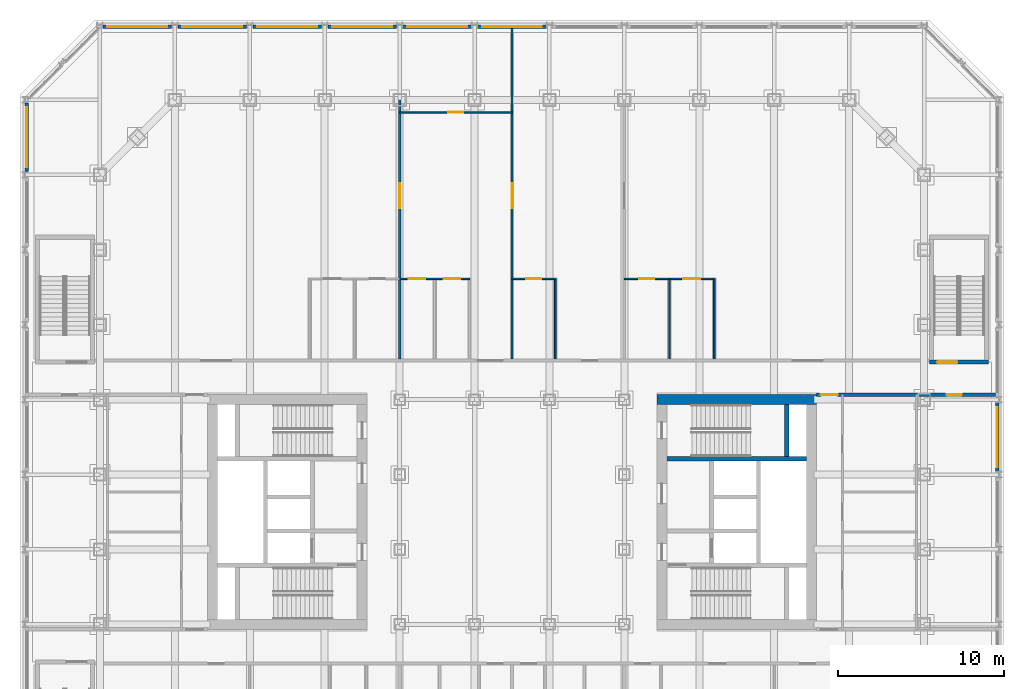
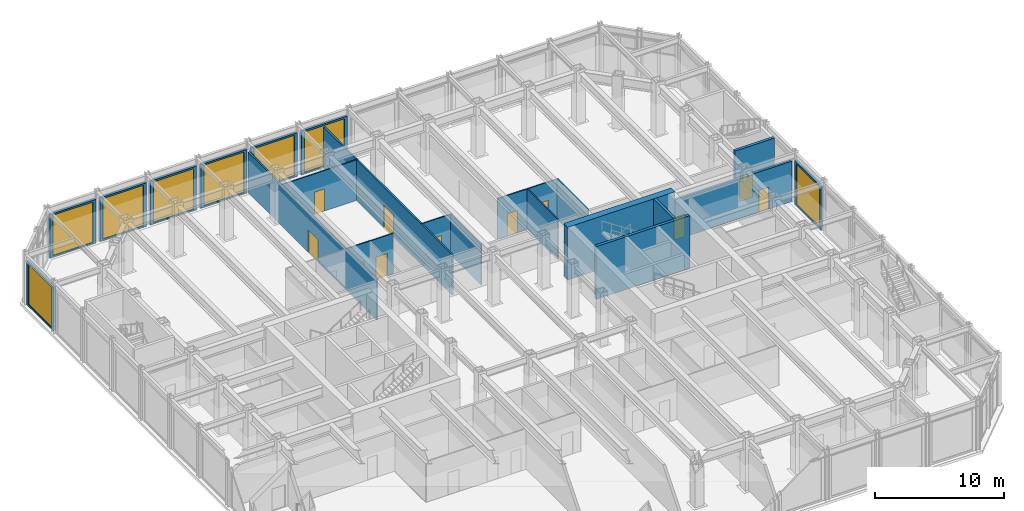
# One storey, part 14 of 19: 22 walls, 11 doors, 8 windows, 19 openings.
"""IFC4 building model written with IfcOpenShell, lengths in metres."""

from ifc_helpers import new_model, si_unit, direction, frame, frame_2d, origin, place, context, subcontext, project, spatial, rectangle, extrude, material, layer, layer_set, type_object, element, fill, save


model = new_model("IFC4")

# Units and contexts
model_context = context("Model", 3, precision=1e-05, world=origin(), true_north=direction((0.0, 1.0)))
body_context = subcontext(model_context, "Body", "Model", "MODEL_VIEW")
ifc_project = project(units=[si_unit("LENGTHUNIT", "METRE"), si_unit("AREAUNIT", "SQUARE_METRE"), si_unit("VOLUMEUNIT", "CUBIC_METRE"), si_unit("PLANEANGLEUNIT", "RADIAN"), si_unit("MASSUNIT", "GRAM", prefix="KILO")], contexts=[model_context])

# Site, building, storey
site_placement = place(None, origin())
site = spatial("IfcSite", under=ifc_project, at=site_placement, CompositionType="ELEMENT")
building_placement = place(site_placement, origin())
building = spatial("IfcBuilding", under=site, at=building_placement, Name="Msasa Ring Tower", CompositionType="ELEMENT")
storey_placement = place(building_placement, frame((0.0, 0.0, 11.0)))
storey = spatial("IfcBuildingStorey", under=building, at=storey_placement, Name="L02", CompositionType="ELEMENT", Elevation=11.0)

# Walls
ifc_material_1 = material(Name="Concrete C60/75", Category="concrete")
ifc_layer_1 = layer(ifc_material_1, 0.60009765625)
ifc_layer_set_1 = layer_set([ifc_layer_1], Name="CW1 CORE WALL 600")
wall_type_1 = type_object("IfcWallType", Name="CW1 CORE WALL 600", PredefinedType="SHEAR", material=ifc_layer_set_1)
wall_1_placement = place(storey_placement, frame((8.699951171875, 6.75, 0.0), z_axis=(0.0, 0.0, 1.0), x_axis=(1.0, 0.0, 0.0)))
element("IfcWall", 1, at=wall_1_placement, inside=storey, type_object=wall_type_1, Name="E core wall N L02", PredefinedType="SHEAR", context=body_context, shape_type="SweptSolid", body=[
    extrude(rectangle(XDim=9.60009765625, YDim=0.60009765625, at=frame_2d((4.800048828125, 0.0))), origin(), (0.0, 0.0, 1.0), 5.0),
])
ifc_material_2 = material(Name="Concrete C60/75", Category="concrete")
ifc_layer_2 = layer(ifc_material_2, 0.25)
ifc_layer_set_2 = layer_set([ifc_layer_2], Name="CW4 CORE INNER WALL 250")
wall_type_2 = type_object("IfcWallType", Name="CW4 CORE INNER WALL 250", PredefinedType="SHEAR", material=ifc_layer_set_2)
wall_2_placement = place(storey_placement, frame((9.300048828125, 3.199951171875, 0.0), z_axis=(0.0, 0.0, 1.0), x_axis=(1.0, 0.0, 0.0)))
element("IfcWall", 2, at=wall_2_placement, inside=storey, type_object=wall_type_2, Name="E core wall STAIRB L02", PredefinedType="SHEAR", context=body_context, shape_type="SweptSolid", body=[
    extrude(rectangle(XDim=8.39990234375, YDim=0.25, at=frame_2d((4.199951171875, 0.0))), origin(), (0.0, 0.0, 1.0), 5.0),
])
wall_3_placement = place(storey_placement, frame((16.5, 3.324951171875, 0.0), z_axis=(0.0, 0.0, 1.0), x_axis=(0.0, 1.0, 0.0)))
element("IfcWall", 3, at=wall_3_placement, inside=storey, type_object=wall_type_2, Name="E core wall RISERB L02", PredefinedType="SHEAR", context=body_context, shape_type="SweptSolid", body=[
    extrude(rectangle(XDim=3.125, YDim=0.25, at=frame_2d((1.5625, 0.0))), origin(), (0.0, 0.0, 1.0), 5.0),
])

# Wall, opening, window
ifc_material_3 = material(Name="Terracotta rainscreen on blockwork", Category="masonry")
ifc_layer_3 = layer(ifc_material_3, 0.199951171875)
ifc_layer_set_3 = layer_set([ifc_layer_3], Name="FW2 TERRACOTTA PODIUM BAY WALL 200")
wall_type_3 = type_object("IfcWallType", Name="FW2 TERRACOTTA PODIUM BAY WALL 200", PredefinedType="SOLIDWALL", material=ifc_layer_set_3)
wall_4_placement = place(storey_placement, frame((29.14990234375, 2.437744140625, 0.0), z_axis=(0.0, 0.0, 1.0), x_axis=(0.0, 1.0, 0.0)))
wall_4 = element("IfcWall", 4, at=wall_4_placement, inside=storey, type_object=wall_type_3, Name="Podium bay wall E L02 19", PredefinedType="SOLIDWALL", context=body_context, shape_type="SweptSolid", body=[
    extrude(rectangle(XDim=4.124755859375, YDim=0.199951171875, at=frame_2d((2.0625, 0.0))), origin(), (0.0, 0.0, 1.0), 4.1328125),
])
opening_1_placement = place(wall_4_placement, frame((0.26220703125, 0.0, 0.14990234375)))
opening_1 = element("IfcOpeningElement", 5, at=opening_1_placement, cuts=wall_4, Name="Opening SF3", PredefinedType="OPENING", context=body_context, shape_type="SweptSolid", body=[
    extrude(rectangle(XDim=3.60009765625, YDim=3.8330078125, at=frame_2d((1.800048828125, 1.91650390625))), frame((0.0, 0.10986328125, 0.0), z_axis=(0.0, -1.0, 0.0), x_axis=(1.0, 0.0, 0.0)), (0.0, 0.0, 1.0), 0.219970703125),
])
ifc_material_4 = material(Name="Aluminium frame with clear glass", Category="aluminium")
window_type = type_object("IfcWindowType", Name="SF3 SHOPFRONT GLAZING 3600x3833", PartitioningType="SINGLE_PANEL", PredefinedType="WINDOW", material=ifc_material_4)
window_1_placement = place(opening_1_placement, origin())
window_1 = element("IfcWindow", 6, at=window_1_placement, inside=storey, type_object=window_type, Name="Shopfront glazing E L02 19", OverallHeight=3.8330078125, OverallWidth=3.60009765625, PartitioningType="SINGLE_PANEL", PredefinedType="WINDOW", context=body_context, shape_type="SweptSolid", body=[
    extrude(rectangle(XDim=3.60009765625, YDim=3.8330078125, at=frame_2d((1.800048828125, 1.91650390625))), frame((0.0, 0.030029296875, 0.0), z_axis=(0.0, -1.0, 0.0), x_axis=(1.0, 0.0, 0.0)), (0.0, 0.0, 1.0), 0.06005859375),
])
fill(opening_1, window_1)

wall_5_placement = place(storey_placement, frame((-24.562255859375, 29.14990234375, 0.0), z_axis=(0.0, 0.0, 1.0), x_axis=(1.0, 0.0, 0.0)))
wall_5 = element("IfcWall", 7, at=wall_5_placement, inside=storey, type_object=wall_type_3, Name="Podium bay wall N L02 26", PredefinedType="SOLIDWALL", context=body_context, shape_type="SweptSolid", body=[
    extrude(rectangle(XDim=4.12451171875, YDim=0.199951171875, at=frame_2d((2.062255859375, 0.0))), origin(), (0.0, 0.0, 1.0), 4.1328125),
])
opening_2_placement = place(wall_5_placement, frame((0.26220703125, 0.0, 0.14990234375)))
opening_2 = element("IfcOpeningElement", 8, at=opening_2_placement, cuts=wall_5, Name="Opening SF3", PredefinedType="OPENING", context=body_context, shape_type="SweptSolid", body=[
    extrude(rectangle(XDim=3.60009765625, YDim=3.8330078125, at=frame_2d((1.800048828125, 1.91650390625))), frame((0.0, 0.10986328125, 0.0), z_axis=(0.0, -1.0, 0.0), x_axis=(1.0, 0.0, 0.0)), (0.0, 0.0, 1.0), 0.219970703125),
])
window_2_placement = place(opening_2_placement, origin())
window_2 = element("IfcWindow", 9, at=window_2_placement, inside=storey, type_object=window_type, Name="Shopfront glazing N L02 26", OverallHeight=3.8330078125, OverallWidth=3.60009765625, PartitioningType="SINGLE_PANEL", PredefinedType="WINDOW", context=body_context, shape_type="SweptSolid", body=[
    extrude(rectangle(XDim=3.60009765625, YDim=3.8330078125, at=frame_2d((1.800048828125, 1.91650390625))), frame((0.0, 0.030029296875, 0.0), z_axis=(0.0, -1.0, 0.0), x_axis=(1.0, 0.0, 0.0)), (0.0, 0.0, 1.0), 0.06005859375),
])
fill(opening_2, window_2)

wall_6_placement = place(storey_placement, frame((-20.062255859375, 29.14990234375, 0.0), z_axis=(0.0, 0.0, 1.0), x_axis=(1.0, 0.0, 0.0)))
wall_6 = element("IfcWall", 10, at=wall_6_placement, inside=storey, type_object=wall_type_3, Name="Podium bay wall N L02 27", PredefinedType="SOLIDWALL", context=body_context, shape_type="SweptSolid", body=[
    extrude(rectangle(XDim=4.124755859375, YDim=0.199951171875, at=frame_2d((2.0625, 0.0))), origin(), (0.0, 0.0, 1.0), 4.1328125),
])
opening_3_placement = place(wall_6_placement, frame((0.26220703125, 0.0, 0.14990234375)))
opening_3 = element("IfcOpeningElement", 11, at=opening_3_placement, cuts=wall_6, Name="Opening SF3", PredefinedType="OPENING", context=body_context, shape_type="SweptSolid", body=[
    extrude(rectangle(XDim=3.60009765625, YDim=3.8330078125, at=frame_2d((1.800048828125, 1.91650390625))), frame((0.0, 0.10986328125, 0.0), z_axis=(0.0, -1.0, 0.0), x_axis=(1.0, 0.0, 0.0)), (0.0, 0.0, 1.0), 0.219970703125),
])
window_3_placement = place(opening_3_placement, origin())
window_3 = element("IfcWindow", 12, at=window_3_placement, inside=storey, type_object=window_type, Name="Shopfront glazing N L02 27", OverallHeight=3.8330078125, OverallWidth=3.60009765625, PartitioningType="SINGLE_PANEL", PredefinedType="WINDOW", context=body_context, shape_type="SweptSolid", body=[
    extrude(rectangle(XDim=3.60009765625, YDim=3.8330078125, at=frame_2d((1.800048828125, 1.91650390625))), frame((0.0, 0.030029296875, 0.0), z_axis=(0.0, -1.0, 0.0), x_axis=(1.0, 0.0, 0.0)), (0.0, 0.0, 1.0), 0.06005859375),
])
fill(opening_3, window_3)

wall_7_placement = place(storey_placement, frame((-15.5625, 29.14990234375, 0.0), z_axis=(0.0, 0.0, 1.0), x_axis=(1.0, 0.0, 0.0)))
wall_7 = element("IfcWall", 13, at=wall_7_placement, inside=storey, type_object=wall_type_3, Name="Podium bay wall N L02 28", PredefinedType="SOLIDWALL", context=body_context, shape_type="SweptSolid", body=[
    extrude(rectangle(XDim=4.125, YDim=0.199951171875, at=frame_2d((2.0625, 0.0))), origin(), (0.0, 0.0, 1.0), 4.1328125),
])
opening_4_placement = place(wall_7_placement, frame((0.262451171875, 0.0, 0.14990234375)))
opening_4 = element("IfcOpeningElement", 14, at=opening_4_placement, cuts=wall_7, Name="Opening SF3", PredefinedType="OPENING", context=body_context, shape_type="SweptSolid", body=[
    extrude(rectangle(XDim=3.60009765625, YDim=3.8330078125, at=frame_2d((1.800048828125, 1.91650390625))), frame((0.0, 0.10986328125, 0.0), z_axis=(0.0, -1.0, 0.0), x_axis=(1.0, 0.0, 0.0)), (0.0, 0.0, 1.0), 0.219970703125),
])
window_4_placement = place(opening_4_placement, origin())
window_4 = element("IfcWindow", 15, at=window_4_placement, inside=storey, type_object=window_type, Name="Shopfront glazing N L02 28", OverallHeight=3.8330078125, OverallWidth=3.60009765625, PartitioningType="SINGLE_PANEL", PredefinedType="WINDOW", context=body_context, shape_type="SweptSolid", body=[
    extrude(rectangle(XDim=3.60009765625, YDim=3.8330078125, at=frame_2d((1.800048828125, 1.91650390625))), frame((0.0, 0.030029296875, 0.0), z_axis=(0.0, -1.0, 0.0), x_axis=(1.0, 0.0, 0.0)), (0.0, 0.0, 1.0), 0.06005859375),
])
fill(opening_4, window_4)

wall_8_placement = place(storey_placement, frame((-11.0625, 29.14990234375, 0.0), z_axis=(0.0, 0.0, 1.0), x_axis=(1.0, 0.0, 0.0)))
wall_8 = element("IfcWall", 16, at=wall_8_placement, inside=storey, type_object=wall_type_3, Name="Podium bay wall N L02 29", PredefinedType="SOLIDWALL", context=body_context, shape_type="SweptSolid", body=[
    extrude(rectangle(XDim=4.125, YDim=0.199951171875, at=frame_2d((2.0625, 0.0))), origin(), (0.0, 0.0, 1.0), 4.1328125),
])
opening_5_placement = place(wall_8_placement, frame((0.262451171875, 0.0, 0.14990234375)))
opening_5 = element("IfcOpeningElement", 17, at=opening_5_placement, cuts=wall_8, Name="Opening SF3", PredefinedType="OPENING", context=body_context, shape_type="SweptSolid", body=[
    extrude(rectangle(XDim=3.60009765625, YDim=3.8330078125, at=frame_2d((1.800048828125, 1.91650390625))), frame((0.0, 0.10986328125, 0.0), z_axis=(0.0, -1.0, 0.0), x_axis=(1.0, 0.0, 0.0)), (0.0, 0.0, 1.0), 0.219970703125),
])
window_5_placement = place(opening_5_placement, origin())
window_5 = element("IfcWindow", 18, at=window_5_placement, inside=storey, type_object=window_type, Name="Shopfront glazing N L02 29", OverallHeight=3.8330078125, OverallWidth=3.60009765625, PartitioningType="SINGLE_PANEL", PredefinedType="WINDOW", context=body_context, shape_type="SweptSolid", body=[
    extrude(rectangle(XDim=3.60009765625, YDim=3.8330078125, at=frame_2d((1.800048828125, 1.91650390625))), frame((0.0, 0.030029296875, 0.0), z_axis=(0.0, -1.0, 0.0), x_axis=(1.0, 0.0, 0.0)), (0.0, 0.0, 1.0), 0.06005859375),
])
fill(opening_5, window_5)

wall_9_placement = place(storey_placement, frame((-6.5625, 29.14990234375, 0.0), z_axis=(0.0, 0.0, 1.0), x_axis=(1.0, 0.0, 0.0)))
wall_9 = element("IfcWall", 19, at=wall_9_placement, inside=storey, type_object=wall_type_3, Name="Podium bay wall N L02 30", PredefinedType="SOLIDWALL", context=body_context, shape_type="SweptSolid", body=[
    extrude(rectangle(XDim=4.124755859375, YDim=0.199951171875, at=frame_2d((2.0625, 0.0))), origin(), (0.0, 0.0, 1.0), 4.1328125),
])
opening_6_placement = place(wall_9_placement, frame((0.262451171875, 0.0, 0.14990234375)))
opening_6 = element("IfcOpeningElement", 20, at=opening_6_placement, cuts=wall_9, Name="Opening SF3", PredefinedType="OPENING", context=body_context, shape_type="SweptSolid", body=[
    extrude(rectangle(XDim=3.60009765625, YDim=3.8330078125, at=frame_2d((1.800048828125, 1.91650390625))), frame((0.0, 0.10986328125, 0.0), z_axis=(0.0, -1.0, 0.0), x_axis=(1.0, 0.0, 0.0)), (0.0, 0.0, 1.0), 0.219970703125),
])
window_6_placement = place(opening_6_placement, origin())
window_6 = element("IfcWindow", 21, at=window_6_placement, inside=storey, type_object=window_type, Name="Shopfront glazing N L02 30", OverallHeight=3.8330078125, OverallWidth=3.60009765625, PartitioningType="SINGLE_PANEL", PredefinedType="WINDOW", context=body_context, shape_type="SweptSolid", body=[
    extrude(rectangle(XDim=3.60009765625, YDim=3.8330078125, at=frame_2d((1.800048828125, 1.91650390625))), frame((0.0, 0.030029296875, 0.0), z_axis=(0.0, -1.0, 0.0), x_axis=(1.0, 0.0, 0.0)), (0.0, 0.0, 1.0), 0.06005859375),
])
fill(opening_6, window_6)

wall_10_placement = place(storey_placement, frame((-2.062255859375, 29.14990234375, 0.0), z_axis=(0.0, 0.0, 1.0), x_axis=(1.0, 0.0, 0.0)))
wall_10 = element("IfcWall", 22, at=wall_10_placement, inside=storey, type_object=wall_type_3, Name="Podium bay wall N L02 31", PredefinedType="SOLIDWALL", context=body_context, shape_type="SweptSolid", body=[
    extrude(rectangle(XDim=4.12451171875, YDim=0.199951171875, at=frame_2d((2.062255859375, 0.0))), origin(), (0.0, 0.0, 1.0), 4.1328125),
])
opening_7_placement = place(wall_10_placement, frame((0.26220703125, 0.0, 0.14990234375)))
opening_7 = element("IfcOpeningElement", 23, at=opening_7_placement, cuts=wall_10, Name="Opening SF3", PredefinedType="OPENING", context=body_context, shape_type="SweptSolid", body=[
    extrude(rectangle(XDim=3.60009765625, YDim=3.8330078125, at=frame_2d((1.800048828125, 1.91650390625))), frame((0.0, 0.10986328125, 0.0), z_axis=(0.0, -1.0, 0.0), x_axis=(1.0, 0.0, 0.0)), (0.0, 0.0, 1.0), 0.219970703125),
])
window_7_placement = place(opening_7_placement, origin())
window_7 = element("IfcWindow", 24, at=window_7_placement, inside=storey, type_object=window_type, Name="Shopfront glazing N L02 31", OverallHeight=3.8330078125, OverallWidth=3.60009765625, PartitioningType="SINGLE_PANEL", PredefinedType="WINDOW", context=body_context, shape_type="SweptSolid", body=[
    extrude(rectangle(XDim=3.60009765625, YDim=3.8330078125, at=frame_2d((1.800048828125, 1.91650390625))), frame((0.0, 0.030029296875, 0.0), z_axis=(0.0, -1.0, 0.0), x_axis=(1.0, 0.0, 0.0)), (0.0, 0.0, 1.0), 0.06005859375),
])
fill(opening_7, window_7)

wall_11_placement = place(storey_placement, frame((-29.14990234375, 20.437744140625, 0.0), z_axis=(0.0, 0.0, 1.0), x_axis=(0.0, 1.0, 0.0)))
wall_11 = element("IfcWall", 25, at=wall_11_placement, inside=storey, type_object=wall_type_3, Name="Podium bay wall W L02 49", PredefinedType="SOLIDWALL", context=body_context, shape_type="SweptSolid", body=[
    extrude(rectangle(XDim=4.12451171875, YDim=0.199951171875, at=frame_2d((2.062255859375, 0.0))), origin(), (0.0, 0.0, 1.0), 4.1328125),
])
opening_8_placement = place(wall_11_placement, frame((0.26220703125, 0.0, 0.14990234375)))
opening_8 = element("IfcOpeningElement", 26, at=opening_8_placement, cuts=wall_11, Name="Opening SF3", PredefinedType="OPENING", context=body_context, shape_type="SweptSolid", body=[
    extrude(rectangle(XDim=3.60009765625, YDim=3.8330078125, at=frame_2d((1.800048828125, 1.91650390625))), frame((0.0, 0.10986328125, 0.0), z_axis=(0.0, -1.0, 0.0), x_axis=(1.0, 0.0, 0.0)), (0.0, 0.0, 1.0), 0.219970703125),
])
window_8_placement = place(opening_8_placement, origin())
window_8 = element("IfcWindow", 27, at=window_8_placement, inside=storey, type_object=window_type, Name="Shopfront glazing W L02 49", OverallHeight=3.8330078125, OverallWidth=3.60009765625, PartitioningType="SINGLE_PANEL", PredefinedType="WINDOW", context=body_context, shape_type="SweptSolid", body=[
    extrude(rectangle(XDim=3.60009765625, YDim=3.8330078125, at=frame_2d((1.800048828125, 1.91650390625))), frame((0.0, 0.030029296875, 0.0), z_axis=(0.0, -1.0, 0.0), x_axis=(1.0, 0.0, 0.0)), (0.0, 0.0, 1.0), 0.06005859375),
])
fill(opening_8, window_8)

# Wall, openings, doors
ifc_material_5 = material(Name="Concrete blockwork", Category="masonry")
ifc_layer_4 = layer(ifc_material_5, 0.199951171875)
ifc_layer_set_4 = layer_set([ifc_layer_4], Name="PT1 CORRIDOR WALL 200")
wall_type_4 = type_object("IfcWallType", Name="PT1 CORRIDOR WALL 200", PredefinedType="PARTITIONING", material=ifc_layer_set_4)
wall_12_placement = place(storey_placement, frame((18.300048828125, 7.050048828125, 0.0), z_axis=(0.0, 0.0, 1.0), x_axis=(1.0, 0.0, 0.0)))
wall_12 = element("IfcWall", 28, at=wall_12_placement, inside=storey, type_object=wall_type_4, Name="Corridor wall L02-STREN", PredefinedType="PARTITIONING", context=body_context, shape_type="SweptSolid", body=[
    extrude(rectangle(XDim=10.75, YDim=0.199951171875, at=frame_2d((5.375, 0.0))), origin(), (0.0, 0.0, 1.0), 3.8291015625),
])
opening_9_placement = place(wall_12_placement, frame((7.797607421875, 0.0, 0.0)))
opening_9 = element("IfcOpeningElement", 29, at=opening_9_placement, cuts=wall_12, Name="Opening L02-021", PredefinedType="OPENING", context=body_context, shape_type="SweptSolid", body=[
    extrude(rectangle(XDim=0.89990234375, YDim=2.10009765625, at=frame_2d((0.449951171875, 1.050048828125))), frame((0.0, 0.10986328125, 0.0), z_axis=(0.0, -1.0, 0.0), x_axis=(1.0, 0.0, 0.0)), (0.0, 0.0, 1.0), 0.219970703125),
])
opening_10_placement = place(wall_12_placement, frame((0.25, 0.0, 0.0)))
opening_10 = element("IfcOpeningElement", 30, at=opening_10_placement, cuts=wall_12, Name="Opening L02-020", PredefinedType="OPENING", context=body_context, shape_type="SweptSolid", body=[
    extrude(rectangle(XDim=1.0, YDim=2.10009765625, at=frame_2d((0.5, 1.050048828125))), frame((0.0, 0.10986328125, 0.0), z_axis=(0.0, -1.0, 0.0), x_axis=(1.0, 0.0, 0.0)), (0.0, 0.0, 1.0), 0.219970703125),
])
ifc_material_6 = material(Name="Timber door leaf in a steel frame", Category="steel")
door_type_1 = type_object("IfcDoorType", Name="D1 SINGLE DOOR TO CORRIDOR 900x2100", OperationType="SINGLE_SWING_LEFT", PredefinedType="DOOR", material=ifc_material_6)
door_1_placement = place(opening_9_placement, origin())
door_1 = element("IfcDoor", 31, at=door_1_placement, inside=storey, type_object=door_type_1, Name="Door L02-WOE", OperationType="SINGLE_SWING_RIGHT", OverallHeight=2.10009765625, OverallWidth=0.89990234375, PredefinedType="DOOR", context=body_context, shape_type="SweptSolid", body=[
    extrude(rectangle(XDim=0.89990234375, YDim=2.10009765625, at=frame_2d((0.449951171875, 1.050048828125))), frame((0.0, 0.02490234375, 0.0), z_axis=(0.0, -1.0, 0.0), x_axis=(1.0, 0.0, 0.0)), (0.0, 0.0, 1.0), 0.050048828125),
])
fill(opening_9, door_1)
ifc_material_7 = material(Name="Timber door leaf in a steel frame", Category="steel")
door_type_2 = type_object("IfcDoorType", Name="D12 WC DOOR 1000x2100", OperationType="SINGLE_SWING_LEFT", PredefinedType="DOOR", material=ifc_material_7)
door_2_placement = place(opening_10_placement, origin())
door_2 = element("IfcDoor", 32, at=door_2_placement, inside=storey, type_object=door_type_2, Name="Door L02-WLEN", OperationType="SINGLE_SWING_LEFT", OverallHeight=2.10009765625, OverallWidth=1.0, PredefinedType="DOOR", context=body_context, shape_type="SweptSolid", body=[
    extrude(rectangle(XDim=1.0, YDim=2.10009765625, at=frame_2d((0.5, 1.050048828125))), frame((0.0, 0.02490234375, 0.0), z_axis=(0.0, -1.0, 0.0), x_axis=(1.0, 0.0, 0.0)), (0.0, 0.0, 1.0), 0.050048828125),
])
fill(opening_10, door_2)

ifc_material_8 = material(Name="Gypsum board on steel studs", Category="steel")
ifc_layer_5 = layer(ifc_material_8, 0.10009765625)
ifc_layer_set_5 = layer_set([ifc_layer_5], Name="PT2 STUD PARTITION 100")
wall_type_5 = type_object("IfcWallType", Name="PT2 STUD PARTITION 100", PredefinedType="PARTITIONING", material=ifc_layer_set_5)
wall_13_placement = place(storey_placement, frame((-6.75, 14.0, 0.0), z_axis=(0.0, 0.0, 1.0), x_axis=(1.0, 0.0, 0.0)))
wall_13 = element("IfcWall", 33, at=wall_13_placement, inside=storey, type_object=wall_type_5, Name="Partition L02-PDN1BY", PredefinedType="PARTITIONING", context=body_context, shape_type="SweptSolid", body=[
    extrude(rectangle(XDim=4.199951171875, YDim=0.10009765625, at=frame_2d((2.10009765625, 0.0))), origin(), (0.0, 0.0, 1.0), 3.8291015625),
])
opening_11_placement = place(wall_13_placement, frame((0.550048828125, 0.0, 0.0)))
opening_11 = element("IfcOpeningElement", 34, at=opening_11_placement, cuts=wall_13, Name="Opening L02-007", PredefinedType="OPENING", context=body_context, shape_type="SweptSolid", body=[
    extrude(rectangle(XDim=1.0, YDim=2.10009765625, at=frame_2d((0.5, 1.050048828125))), frame((0.0, 0.06005859375, 0.0), z_axis=(0.0, -1.0, 0.0), x_axis=(1.0, 0.0, 0.0)), (0.0, 0.0, 1.0), 0.1201171875),
])
opening_12_placement = place(wall_13_placement, frame((2.64990234375, 0.0, 0.0)))
opening_12 = element("IfcOpeningElement", 35, at=opening_12_placement, cuts=wall_13, Name="Opening L02-008", PredefinedType="OPENING", context=body_context, shape_type="SweptSolid", body=[
    extrude(rectangle(XDim=1.0, YDim=2.10009765625, at=frame_2d((0.5, 1.050048828125))), frame((0.0, 0.06005859375, 0.0), z_axis=(0.0, -1.0, 0.0), x_axis=(1.0, 0.0, 0.0)), (0.0, 0.0, 1.0), 0.1201171875),
])
ifc_material_9 = material(Name="Timber door leaf in a steel frame", Category="steel")
door_type_3 = type_object("IfcDoorType", Name="D27 INTERNAL STORE DOOR 1000x2100", OperationType="SINGLE_SWING_LEFT", PredefinedType="DOOR", material=ifc_material_9)
door_3_placement = place(opening_11_placement, origin())
door_3 = element("IfcDoor", 36, at=door_3_placement, inside=storey, type_object=door_type_3, Name="Door L02-PDN1B0", OperationType="SINGLE_SWING_LEFT", OverallHeight=2.10009765625, OverallWidth=1.0, PredefinedType="DOOR", context=body_context, shape_type="SweptSolid", body=[
    extrude(rectangle(XDim=1.0, YDim=2.10009765625, at=frame_2d((0.5, 1.050048828125))), frame((0.0, 0.02490234375, 0.0), z_axis=(0.0, -1.0, 0.0), x_axis=(1.0, 0.0, 0.0)), (0.0, 0.0, 1.0), 0.050048828125),
])
fill(opening_11, door_3)
ifc_material_10 = material(Name="Timber door leaf in a steel frame", Category="steel")
door_type_4 = type_object("IfcDoorType", Name="D30 COLD ROOM INSULATED DOOR 1000x2100", OperationType="SINGLE_SWING_LEFT", PredefinedType="DOOR", material=ifc_material_10)
door_4_placement = place(opening_12_placement, origin())
door_4 = element("IfcDoor", 37, at=door_4_placement, inside=storey, type_object=door_type_4, Name="Door L02-PDN1B1", OperationType="SINGLE_SWING_RIGHT", OverallHeight=2.10009765625, OverallWidth=1.0, PredefinedType="DOOR", context=body_context, shape_type="SweptSolid", body=[
    extrude(rectangle(XDim=1.0, YDim=2.10009765625, at=frame_2d((0.5, 1.050048828125))), frame((0.0, 0.02490234375, 0.0), z_axis=(0.0, -1.0, 0.0), x_axis=(1.0, 0.0, 0.0)), (0.0, 0.0, 1.0), 0.050048828125),
])
fill(opening_12, door_4)

# Wall, opening, door
wall_14_placement = place(storey_placement, frame((-6.75, 24.0, 0.0), z_axis=(0.0, 0.0, 1.0), x_axis=(1.0, 0.0, 0.0)))
wall_14 = element("IfcWall", 38, at=wall_14_placement, inside=storey, type_object=wall_type_5, Name="Partition L02-PDN1FY0", PredefinedType="PARTITIONING", context=body_context, shape_type="SweptSolid", body=[
    extrude(rectangle(XDim=6.75, YDim=0.10009765625, at=frame_2d((3.375, 0.0))), origin(), (0.0, 0.0, 1.0), 3.8291015625),
])
opening_13_placement = place(wall_14_placement, frame((2.925048828125, 0.0, 0.0)))
opening_13 = element("IfcOpeningElement", 39, at=opening_13_placement, cuts=wall_14, Name="Opening L02-001", PredefinedType="OPENING", context=body_context, shape_type="SweptSolid", body=[
    extrude(rectangle(XDim=0.89990234375, YDim=2.10009765625, at=frame_2d((0.449951171875, 1.050048828125))), frame((0.0, 0.06005859375, 0.0), z_axis=(0.0, -1.0, 0.0), x_axis=(1.0, 0.0, 0.0)), (0.0, 0.0, 1.0), 0.1201171875),
])
ifc_material_11 = material(Name="Timber door leaf in a steel frame", Category="steel")
door_type_5 = type_object("IfcDoorType", Name="D22 INTERNAL HALL DOOR 900x2100", OperationType="SINGLE_SWING_LEFT", PredefinedType="DOOR", material=ifc_material_11)
door_5_placement = place(opening_13_placement, origin())
door_5 = element("IfcDoor", 40, at=door_5_placement, inside=storey, type_object=door_type_5, Name="Door L02-PDN1F0", OperationType="SINGLE_SWING_LEFT", OverallHeight=2.10009765625, OverallWidth=0.89990234375, PredefinedType="DOOR", context=body_context, shape_type="SweptSolid", body=[
    extrude(rectangle(XDim=0.89990234375, YDim=2.10009765625, at=frame_2d((0.449951171875, 1.050048828125))), frame((0.0, 0.02490234375, 0.0), z_axis=(0.0, -1.0, 0.0), x_axis=(1.0, 0.0, 0.0)), (0.0, 0.0, 1.0), 0.050048828125),
])
fill(opening_13, door_5)

wall_15_placement = place(storey_placement, frame((0.0, 14.0, 0.0), z_axis=(0.0, 0.0, 1.0), x_axis=(1.0, 0.0, 0.0)))
wall_15 = element("IfcWall", 41, at=wall_15_placement, inside=storey, type_object=wall_type_5, Name="Partition L02-PDN2BY", PredefinedType="PARTITIONING", context=body_context, shape_type="SweptSolid", body=[
    extrude(rectangle(XDim=2.60009765625, YDim=0.10009765625, at=frame_2d((1.300048828125, 0.0))), origin(), (0.0, 0.0, 1.0), 3.8291015625),
])
opening_14_placement = place(wall_15_placement, frame((0.85009765625, 0.0, 0.0)))
opening_14 = element("IfcOpeningElement", 42, at=opening_14_placement, cuts=wall_15, Name="Opening L02-009", PredefinedType="OPENING", context=body_context, shape_type="SweptSolid", body=[
    extrude(rectangle(XDim=0.89990234375, YDim=2.10009765625, at=frame_2d((0.449951171875, 1.050048828125))), frame((0.0, 0.06005859375, 0.0), z_axis=(0.0, -1.0, 0.0), x_axis=(1.0, 0.0, 0.0)), (0.0, 0.0, 1.0), 0.1201171875),
])
door_6_placement = place(opening_14_placement, origin())
door_6 = element("IfcDoor", 43, at=door_6_placement, inside=storey, type_object=door_type_5, Name="Door L02-PDN2B0", OperationType="SINGLE_SWING_LEFT", OverallHeight=2.10009765625, OverallWidth=0.89990234375, PredefinedType="DOOR", context=body_context, shape_type="SweptSolid", body=[
    extrude(rectangle(XDim=0.89990234375, YDim=2.10009765625, at=frame_2d((0.449951171875, 1.050048828125))), frame((0.0, 0.02490234375, 0.0), z_axis=(0.0, -1.0, 0.0), x_axis=(1.0, 0.0, 0.0)), (0.0, 0.0, 1.0), 0.050048828125),
])
fill(opening_14, door_6)

# Wall
wall_16_placement = place(storey_placement, frame((2.60009765625, 9.199951171875, 0.0), z_axis=(0.0, 0.0, 1.0), x_axis=(0.0, 1.0, 0.0)))
element("IfcWall", 44, at=wall_16_placement, inside=storey, type_object=wall_type_5, Name="Partition L02-PDN2BX+2.60", PredefinedType="PARTITIONING", context=body_context, shape_type="SweptSolid", body=[
    extrude(rectangle(XDim=4.800048828125, YDim=0.10009765625, at=frame_2d((2.39990234375, 0.0))), origin(), (0.0, 0.0, 1.0), 3.8291015625),
])

# Wall, openings, doors
wall_17_placement = place(storey_placement, frame((6.75, 14.0, 0.0), z_axis=(0.0, 0.0, 1.0), x_axis=(1.0, 0.0, 0.0)))
wall_17 = element("IfcWall", 45, at=wall_17_placement, inside=storey, type_object=wall_type_5, Name="Partition L02-PDN3BY", PredefinedType="PARTITIONING", context=body_context, shape_type="SweptSolid", body=[
    extrude(rectangle(XDim=5.39990234375, YDim=0.10009765625, at=frame_2d((2.699951171875, 0.0))), origin(), (0.0, 0.0, 1.0), 3.8291015625),
])
opening_15_placement = place(wall_17_placement, frame((3.550048828125, 0.0, 0.0)))
opening_15 = element("IfcOpeningElement", 46, at=opening_15_placement, cuts=wall_17, Name="Opening L02-011", PredefinedType="OPENING", context=body_context, shape_type="SweptSolid", body=[
    extrude(rectangle(XDim=1.0, YDim=2.10009765625, at=frame_2d((0.5, 1.050048828125))), frame((0.0, 0.06005859375, 0.0), z_axis=(0.0, -1.0, 0.0), x_axis=(1.0, 0.0, 0.0)), (0.0, 0.0, 1.0), 0.1201171875),
])
opening_16_placement = place(wall_17_placement, frame((0.89990234375, 0.0, 0.0)))
opening_16 = element("IfcOpeningElement", 47, at=opening_16_placement, cuts=wall_17, Name="Opening L02-010", PredefinedType="OPENING", context=body_context, shape_type="SweptSolid", body=[
    extrude(rectangle(XDim=0.89990234375, YDim=2.10009765625, at=frame_2d((0.449951171875, 1.050048828125))), frame((0.0, 0.06005859375, 0.0), z_axis=(0.0, -1.0, 0.0), x_axis=(1.0, 0.0, 0.0)), (0.0, 0.0, 1.0), 0.1201171875),
])
door_7_placement = place(opening_16_placement, origin())
door_7 = element("IfcDoor", 48, at=door_7_placement, inside=storey, type_object=door_type_5, Name="Door L02-PDN3B1", OperationType="SINGLE_SWING_LEFT", OverallHeight=2.10009765625, OverallWidth=0.89990234375, PredefinedType="DOOR", context=body_context, shape_type="SweptSolid", body=[
    extrude(rectangle(XDim=0.89990234375, YDim=2.10009765625, at=frame_2d((0.449951171875, 1.050048828125))), frame((0.0, 0.02490234375, 0.0), z_axis=(0.0, -1.0, 0.0), x_axis=(1.0, 0.0, 0.0)), (0.0, 0.0, 1.0), 0.050048828125),
])
fill(opening_16, door_7)
door_8_placement = place(opening_15_placement, origin())
door_8 = element("IfcDoor", 49, at=door_8_placement, inside=storey, type_object=door_type_3, Name="Door L02-PDN3B0", OperationType="SINGLE_SWING_RIGHT", OverallHeight=2.10009765625, OverallWidth=1.0, PredefinedType="DOOR", context=body_context, shape_type="SweptSolid", body=[
    extrude(rectangle(XDim=1.0, YDim=2.10009765625, at=frame_2d((0.5, 1.050048828125))), frame((0.0, 0.02490234375, 0.0), z_axis=(0.0, -1.0, 0.0), x_axis=(1.0, 0.0, 0.0)), (0.0, 0.0, 1.0), 0.050048828125),
])
fill(opening_15, door_8)

# Walls
for number, where, z_axis, x_axis, name in (
    (50, (9.449951171875, 9.199951171875, 0.0), (0.0, 0.0, 1.0), (0.0, 1.0, 0.0), "Partition L02-PDN3BX+9.45"),
    (51, (12.14990234375, 9.199951171875, 0.0), (0.0, 0.0, 1.0), (0.0, 1.0, 0.0), "Partition L02-PDN3BX+12.15"),
):
    element("IfcWall", number, at=place(storey_placement, frame(where, z_axis=z_axis, x_axis=x_axis)), inside=storey, type_object=wall_type_5, Name=name, PredefinedType="PARTITIONING", context=body_context, shape_type="SweptSolid", body=[
        extrude(rectangle(XDim=4.800048828125, YDim=0.10009765625, at=frame_2d((2.39990234375, 0.0))), origin(), (0.0, 0.0, 1.0), 3.8291015625),
    ])

# Wall, opening, door
ifc_material_12 = material(Name="Moisture-resistant board on steel studs with a concealed cistern and pipe void, tiled", Category="steel")
ifc_layer_6 = layer(ifc_material_12, 0.14990234375)
ifc_layer_set_6 = layer_set([ifc_layer_6], Name="PT4 BATHROOM WET WALL 150")
wall_type_6 = type_object("IfcWallType", Name="PT4 BATHROOM WET WALL 150", PredefinedType="PARTITIONING", material=ifc_layer_set_6)
wall_18_placement = place(storey_placement, frame((-6.75, 9.199951171875, 0.0), z_axis=(0.0, 0.0, 1.0), x_axis=(0.0, 1.0, 0.0)))
wall_18 = element("IfcWall", 52, at=wall_18_placement, inside=storey, type_object=wall_type_6, Name="Partition L02-PWN-6.75", PredefinedType="PARTITIONING", context=body_context, shape_type="SweptSolid", body=[
    extrude(rectangle(XDim=19.888916015625, YDim=0.14990234375, at=frame_2d((9.9443359375, 0.0))), origin(), (0.0, 0.0, 1.0), 3.8291015625),
])
opening_17_placement = place(wall_18_placement, frame((9.050048828125, 0.0, 0.0)))
opening_17 = element("IfcOpeningElement", 53, at=opening_17_placement, cuts=wall_18, Name="Opening L02-002", PredefinedType="OPENING", context=body_context, shape_type="SweptSolid", body=[
    extrude(rectangle(XDim=1.5, YDim=2.10009765625, at=frame_2d((0.75, 1.050048828125))), frame((0.0, 0.0849609375, 0.0), z_axis=(0.0, -1.0, 0.0), x_axis=(1.0, 0.0, 0.0)), (0.0, 0.0, 1.0), 0.169921875),
])
ifc_material_13 = material(Name="Timber door leaf in a steel frame", Category="steel")
door_type_6 = type_object("IfcDoorType", Name="D28 INTERNAL KITCHEN DOUBLE SWING DOOR 1500x2100", OperationType="SINGLE_SWING_LEFT", PredefinedType="DOOR", material=ifc_material_13)
door_9_placement = place(opening_17_placement, origin())
door_9 = element("IfcDoor", 54, at=door_9_placement, inside=storey, type_object=door_type_6, Name="Door L02-PKN0", OperationType="SINGLE_SWING_LEFT", OverallHeight=2.10009765625, OverallWidth=1.5, PredefinedType="DOOR", context=body_context, shape_type="SweptSolid", body=[
    extrude(rectangle(XDim=1.5, YDim=2.10009765625, at=frame_2d((0.75, 1.050048828125))), frame((0.0, 0.02490234375, 0.0), z_axis=(0.0, -1.0, 0.0), x_axis=(1.0, 0.0, 0.0)), (0.0, 0.0, 1.0), 0.050048828125),
])
fill(opening_17, door_9)

wall_19_placement = place(storey_placement, frame((0.0, 9.199951171875, 0.0), z_axis=(0.0, 0.0, 1.0), x_axis=(0.0, 1.0, 0.0)))
wall_19 = element("IfcWall", 55, at=wall_19_placement, inside=storey, type_object=wall_type_6, Name="Partition L02-PWN+0.00", PredefinedType="PARTITIONING", context=body_context, shape_type="SweptSolid", body=[
    extrude(rectangle(XDim=19.85009765625, YDim=0.14990234375, at=frame_2d((9.925048828125, 0.0))), origin(), (0.0, 0.0, 1.0), 3.8291015625),
])
opening_18_placement = place(wall_19_placement, frame((9.050048828125, 0.0, 0.0)))
opening_18 = element("IfcOpeningElement", 56, at=opening_18_placement, cuts=wall_19, Name="Opening L02-003", PredefinedType="OPENING", context=body_context, shape_type="SweptSolid", body=[
    extrude(rectangle(XDim=1.5, YDim=2.10009765625, at=frame_2d((0.75, 1.050048828125))), frame((0.0, 0.0849609375, 0.0), z_axis=(0.0, -1.0, 0.0), x_axis=(1.0, 0.0, 0.0)), (0.0, 0.0, 1.0), 0.169921875),
])
door_10_placement = place(opening_18_placement, origin())
door_10 = element("IfcDoor", 57, at=door_10_placement, inside=storey, type_object=door_type_6, Name="Door L02-PKN1", OperationType="SINGLE_SWING_LEFT", OverallHeight=2.10009765625, OverallWidth=1.5, PredefinedType="DOOR", context=body_context, shape_type="SweptSolid", body=[
    extrude(rectangle(XDim=1.5, YDim=2.10009765625, at=frame_2d((0.75, 1.050048828125))), frame((0.0, 0.02490234375, 0.0), z_axis=(0.0, -1.0, 0.0), x_axis=(1.0, 0.0, 0.0)), (0.0, 0.0, 1.0), 0.050048828125),
])
fill(opening_18, door_10)

ifc_material_14 = material(Name="Concrete C60/75", Category="concrete")
ifc_layer_7 = layer(ifc_material_14, 0.25)
ifc_layer_set_7 = layer_set([ifc_layer_7], Name="SW1 STAIR WALL 250")
wall_type_7 = type_object("IfcWallType", Name="SW1 STAIR WALL 250", PredefinedType="SHEAR", material=ifc_layer_set_7)
wall_20_placement = place(storey_placement, frame((25.074951171875, 9.0, 0.0), z_axis=(0.0, 0.0, 1.0), x_axis=(1.0, 0.0, 0.0)))
wall_20 = element("IfcWall", 58, at=wall_20_placement, inside=storey, type_object=wall_type_7, Name="Podium stair EN wall S L02", PredefinedType="SHEAR", context=body_context, shape_type="SweptSolid", body=[
    extrude(rectangle(XDim=3.550048828125, YDim=0.25, at=frame_2d((1.77490234375, 0.0))), origin(), (0.0, 0.0, 1.0), 5.0),
])
opening_19_placement = place(wall_20_placement, frame((0.47509765625, 0.0, 0.0)))
opening_19 = element("IfcOpeningElement", 59, at=opening_19_placement, cuts=wall_20, Name="Opening L02-017", PredefinedType="OPENING", context=body_context, shape_type="SweptSolid", body=[
    extrude(rectangle(XDim=1.199951171875, YDim=2.10009765625, at=frame_2d((0.60009765625, 1.050048828125))), frame((0.0, 0.135009765625, 0.0), z_axis=(0.0, -1.0, 0.0), x_axis=(1.0, 0.0, 0.0)), (0.0, 0.0, 1.0), 0.27001953125),
])
ifc_material_15 = material(Name="Timber door leaf in a steel frame", Category="steel")
door_type_7 = type_object("IfcDoorType", Name="D7 WIDE STAIR DOOR 1200x2100", OperationType="SINGLE_SWING_LEFT", PredefinedType="DOOR", material=ifc_material_15)
door_11_placement = place(opening_19_placement, origin())
door_11 = element("IfcDoor", 60, at=door_11_placement, inside=storey, type_object=door_type_7, Name="Door L02-PSTEN", OperationType="SINGLE_SWING_LEFT", OverallHeight=2.10009765625, OverallWidth=1.199951171875, PredefinedType="DOOR", context=body_context, shape_type="SweptSolid", body=[
    extrude(rectangle(XDim=1.199951171875, YDim=2.10009765625, at=frame_2d((0.60009765625, 1.050048828125))), frame((0.0, 0.02490234375, 0.0), z_axis=(0.0, -1.0, 0.0), x_axis=(1.0, 0.0, 0.0)), (0.0, 0.0, 1.0), 0.050048828125),
])
fill(opening_19, door_11)

save(model, "model.ifc")
